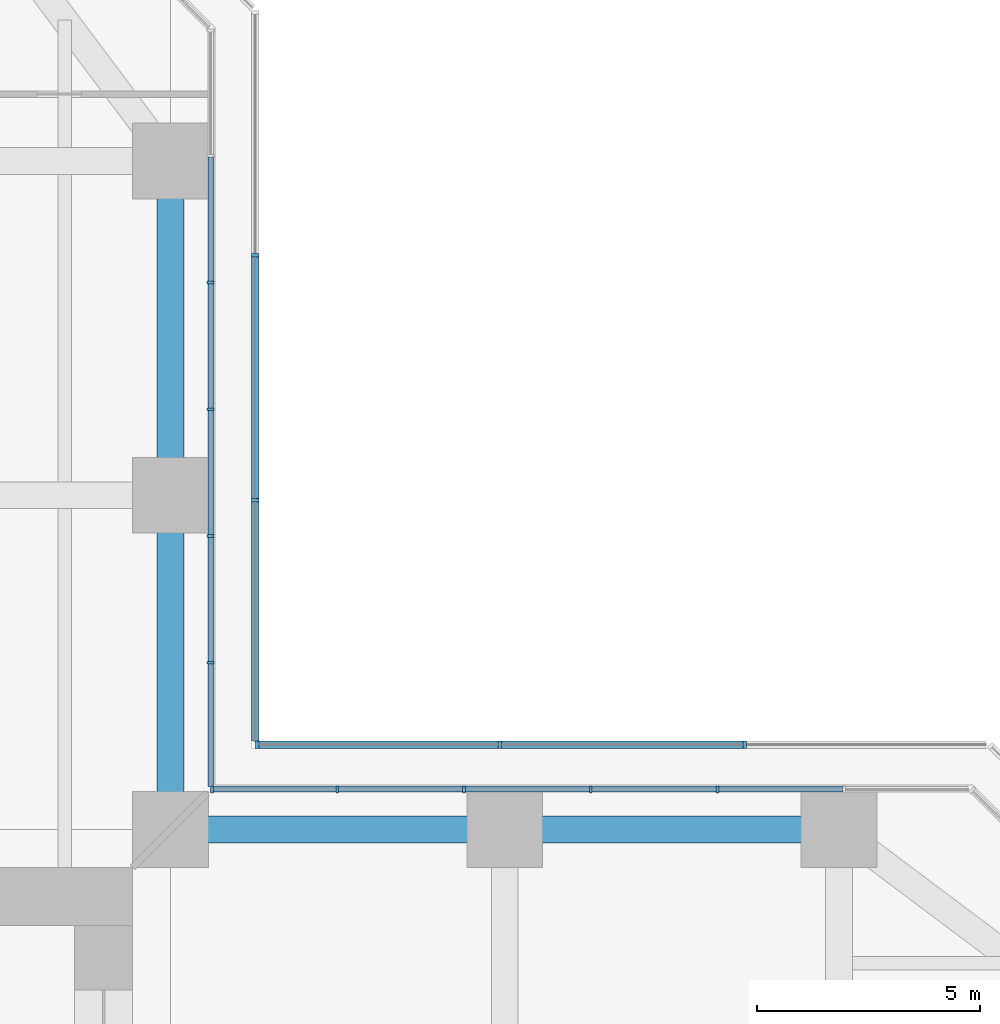
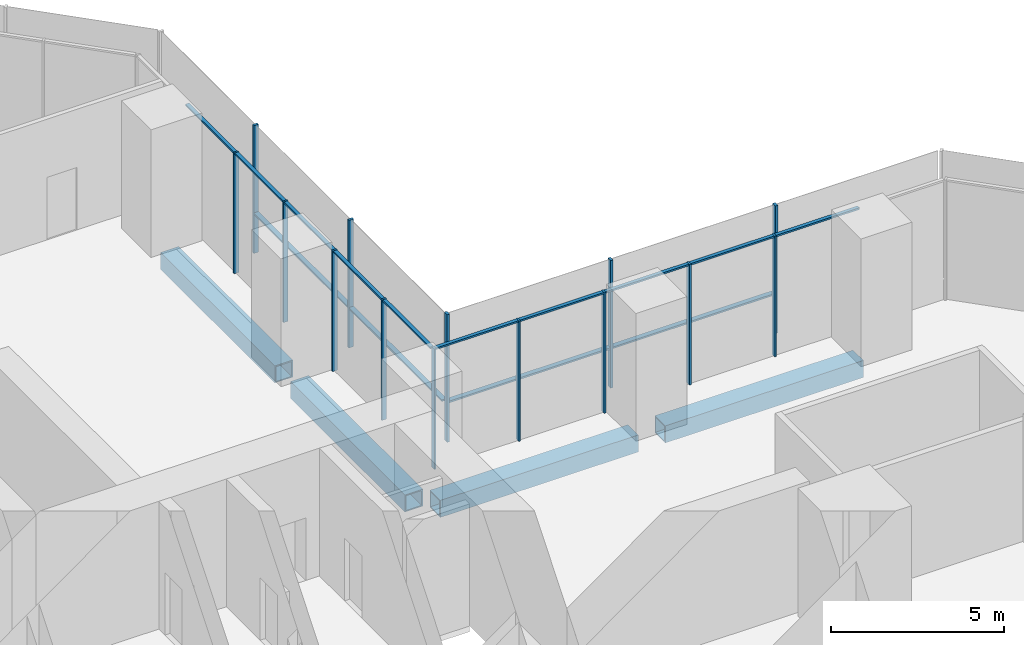
# One storey, part 10 of 21: 28 members, 4 beams, 4 elements without a shape of their own.
"""IFC4 building model written with IfcOpenShell, lengths in metres."""

from ifc_helpers import new_model, si_unit, direction, frame, origin, origin_2d, place, context, subcontext, project, spatial, rectangle, hollow_rectangle, extrude, material, material_profile, profile_set, type_object, element, aggregate, save


model = new_model("IFC4")

# Units and contexts
model_context = context("Model", 3, precision=1e-05, world=origin(), true_north=direction((0.0, 1.0)))
body_context = subcontext(model_context, "Body", "Model", "MODEL_VIEW")
ifc_project = project(units=[si_unit("LENGTHUNIT", "METRE"), si_unit("AREAUNIT", "SQUARE_METRE"), si_unit("VOLUMEUNIT", "CUBIC_METRE"), si_unit("PLANEANGLEUNIT", "RADIAN"), si_unit("MASSUNIT", "GRAM", prefix="KILO")], contexts=[model_context])

# Site, building, storey
site_placement = place(None, origin())
site = spatial("IfcSite", under=ifc_project, at=site_placement, CompositionType="ELEMENT")
building_placement = place(site_placement, origin())
building = spatial("IfcBuilding", under=site, at=building_placement, Name="Mizan Broadcast Tower", CompositionType="ELEMENT")
storey_placement = place(building_placement, frame((0.0, 0.0, 33.0)))
storey = spatial("IfcBuildingStorey", under=building, at=storey_placement, Name="L05", CompositionType="ELEMENT", Elevation=33.0)

# Beams
ifc_material_1 = material(Name="Steel S355", Category="steel")
ifc_material_profile_1 = material_profile(ifc_material_1, hollow_rectangle(XDim=0.60009765625, YDim=0.60009765625, WallThickness=0.0400390625, at=origin_2d()), Name="BOX 600x600x40")
ifc_profile_set_1 = profile_set([ifc_material_profile_1], Name="Steel S355")
beam_type = type_object("IfcBeamType", Name="EDGE BEAM BOX 600x600x40", PredefinedType="SPANDREL", material=ifc_profile_set_1)
for number, where, z_axis, x_axis, name in (
    (1, (12.449951171875, 12.0, -0.550048828125), (1.0, 0.0, 0.0), (0.0, 1.0, 0.0), "Edge beam BOX 600x600x40 L05 east arm"),
    (2, (19.949951171875, 12.0, -0.550048828125), (1.0, 0.0, 0.0), (0.0, 1.0, 0.0), "Edge beam BOX 600x600x40 L05 east arm"),
    (3, (12.0, 12.449951171875, -0.550048828125), (0.0, 1.0, 0.0), (-1.0, 0.0, 0.0), "Edge beam BOX 600x600x40 L05 north arm"),
    (4, (12.0, 19.949951171875, -0.550048828125), (0.0, 1.0, 0.0), (-1.0, 0.0, 0.0), "Edge beam BOX 600x600x40 L05 north arm"),
):
    element("IfcBeam", number, at=place(storey_placement, frame(where, z_axis=z_axis, x_axis=x_axis)), inside=storey, type_object=beam_type, Name=name, PredefinedType="SPANDREL", context=body_context, shape_type="SweptSolid", body=[
        extrude(hollow_rectangle(XDim=0.60009765625, YDim=0.60009765625, WallThickness=0.0400390625, at=origin_2d()), origin(), (0.0, 0.0, 1.0), 6.60009765625),
    ])

# Curtain wall, members
ifc_material_2 = material(Name="Aluminium framed glazing", Category="aluminium")
curtain_wall_type_1 = type_object("IfcCurtainWallType", Name="PODIUM CURTAIN WALL", PredefinedType="USERDEFINED", material=ifc_material_2)
curtain_wall_1_placement = place(storey_placement, origin())
curtain_wall_1 = element("IfcCurtainWall", 5, at=curtain_wall_1_placement, inside=storey, type_object=curtain_wall_type_1, Name="Podium curtain wall L05 E side", ObjectType="PODIUM CURTAIN WALL", PredefinedType="USERDEFINED")
ifc_material_3 = material(Name="Aluminium, pale anodised", Category="aluminium")
ifc_material_profile_2 = material_profile(ifc_material_3, rectangle(XDim=0.159912109375, YDim=0.06005859375, at=origin_2d()), Name="MULLION 160x60")
ifc_profile_set_2 = profile_set([ifc_material_profile_2], Name="Aluminium, pale anodised")
member_type_1 = type_object("IfcMemberType", Name="INNER SKIN MULLION 60x160", PredefinedType="MULLION", material=ifc_profile_set_2)
member_1_placement = place(storey_placement, frame((24.2724609375, 12.89990234375, 0.0), z_axis=(0.0, 0.0, 1.0), x_axis=(0.0, -1.0, 0.0)))
member_1 = element("IfcMember", 6, at=member_1_placement, type_object=member_type_1, Name="Podium curtain wall L05 E side mullion 3", PredefinedType="MULLION", context=body_context, shape_type="SweptSolid", body=[
    extrude(rectangle(XDim=0.159912109375, YDim=0.06005859375, at=origin_2d()), origin(), (0.0, 0.0, 1.0), 4.25),
])
member_2_placement = place(storey_placement, frame((21.42919921875, 12.89990234375, 0.0), z_axis=(0.0, 0.0, 1.0), x_axis=(0.0, -1.0, 0.0)))
member_2 = element("IfcMember", 7, at=member_2_placement, type_object=member_type_1, Name="Podium curtain wall L05 E side mullion 4", PredefinedType="MULLION", context=body_context, shape_type="SweptSolid", body=[
    extrude(rectangle(XDim=0.159912109375, YDim=0.06005859375, at=origin_2d()), origin(), (0.0, 0.0, 1.0), 4.25),
])
member_3_placement = place(storey_placement, frame((18.586181640625, 12.89990234375, 0.0), z_axis=(0.0, 0.0, 1.0), x_axis=(0.0, -1.0, 0.0)))
member_3 = element("IfcMember", 8, at=member_3_placement, type_object=member_type_1, Name="Podium curtain wall L05 E side mullion 5", PredefinedType="MULLION", context=body_context, shape_type="SweptSolid", body=[
    extrude(rectangle(XDim=0.159912109375, YDim=0.06005859375, at=origin_2d()), origin(), (0.0, 0.0, 1.0), 4.25),
])
member_4_placement = place(storey_placement, frame((15.7431640625, 12.89990234375, 0.0), z_axis=(0.0, 0.0, 1.0), x_axis=(0.0, -1.0, 0.0)))
member_4 = element("IfcMember", 9, at=member_4_placement, type_object=member_type_1, Name="Podium curtain wall L05 E side mullion 6", PredefinedType="MULLION", context=body_context, shape_type="SweptSolid", body=[
    extrude(rectangle(XDim=0.159912109375, YDim=0.06005859375, at=origin_2d()), origin(), (0.0, 0.0, 1.0), 4.25),
])
member_5_placement = place(storey_placement, frame((12.929931640625, 12.89990234375, 0.0), z_axis=(0.0, 0.0, 1.0), x_axis=(0.0, -1.0, 0.0)))
member_5 = element("IfcMember", 10, at=member_5_placement, type_object=member_type_1, Name="Podium curtain wall L05 E side mullion 7", PredefinedType="MULLION", context=body_context, shape_type="SweptSolid", body=[
    extrude(rectangle(XDim=0.159912109375, YDim=0.06005859375, at=origin_2d()), origin(), (0.0, 0.0, 1.0), 4.25),
])

curtain_wall_2_placement = place(storey_placement, origin())
curtain_wall_2 = element("IfcCurtainWall", 11, at=curtain_wall_2_placement, inside=storey, type_object=curtain_wall_type_1, Name="Podium curtain wall L05 N side", ObjectType="PODIUM CURTAIN WALL", PredefinedType="USERDEFINED")
member_6_placement = place(storey_placement, frame((12.89990234375, 15.7431640625, 0.0), z_axis=(0.0, 0.0, 1.0), x_axis=(-1.0, 0.0, 0.0)))
member_6 = element("IfcMember", 12, at=member_6_placement, type_object=member_type_1, Name="Podium curtain wall L05 N side mullion 2", PredefinedType="MULLION", context=body_context, shape_type="SweptSolid", body=[
    extrude(rectangle(XDim=0.159912109375, YDim=0.06005859375, at=origin_2d()), origin(), (0.0, 0.0, 1.0), 4.25),
])
member_7_placement = place(storey_placement, frame((12.89990234375, 18.586181640625, 0.0), z_axis=(0.0, 0.0, 1.0), x_axis=(-1.0, 0.0, 0.0)))
member_7 = element("IfcMember", 13, at=member_7_placement, type_object=member_type_1, Name="Podium curtain wall L05 N side mullion 3", PredefinedType="MULLION", context=body_context, shape_type="SweptSolid", body=[
    extrude(rectangle(XDim=0.159912109375, YDim=0.06005859375, at=origin_2d()), origin(), (0.0, 0.0, 1.0), 4.25),
])
member_8_placement = place(storey_placement, frame((12.89990234375, 21.42919921875, 0.0), z_axis=(0.0, 0.0, 1.0), x_axis=(-1.0, 0.0, 0.0)))
member_8 = element("IfcMember", 14, at=member_8_placement, type_object=member_type_1, Name="Podium curtain wall L05 N side mullion 4", PredefinedType="MULLION", context=body_context, shape_type="SweptSolid", body=[
    extrude(rectangle(XDim=0.159912109375, YDim=0.06005859375, at=origin_2d()), origin(), (0.0, 0.0, 1.0), 4.25),
])
member_9_placement = place(storey_placement, frame((12.89990234375, 24.2724609375, 0.0), z_axis=(0.0, 0.0, 1.0), x_axis=(-1.0, 0.0, 0.0)))
member_9 = element("IfcMember", 15, at=member_9_placement, type_object=member_type_1, Name="Podium curtain wall L05 N side mullion 5", PredefinedType="MULLION", context=body_context, shape_type="SweptSolid", body=[
    extrude(rectangle(XDim=0.159912109375, YDim=0.06005859375, at=origin_2d()), origin(), (0.0, 0.0, 1.0), 4.25),
])

# Member
ifc_material_4 = material(Name="Aluminium, pale anodised", Category="aluminium")
ifc_material_profile_3 = material_profile(ifc_material_4, rectangle(XDim=0.1201171875, YDim=0.06005859375, at=origin_2d()), Name="TRANSOM 120x60")
ifc_profile_set_3 = profile_set([ifc_material_profile_3], Name="Aluminium, pale anodised")
member_type_2 = type_object("IfcMemberType", Name="INNER SKIN TRANSOM 60x120", PredefinedType="USERDEFINED", material=ifc_profile_set_3)
member_10_placement = place(storey_placement, frame((27.08544921875, 12.89990234375, 4.219970703125), z_axis=(-1.0, 0.0, 0.0), x_axis=(0.0, -1.0, 0.0)))
member_10 = element("IfcMember", 16, at=member_10_placement, type_object=member_type_2, Name="Podium curtain wall L05 E side transom 2.1", ObjectType="TRANSOM", PredefinedType="USERDEFINED", context=body_context, shape_type="SweptSolid", body=[
    extrude(rectangle(XDim=0.1201171875, YDim=0.06005859375, at=origin_2d()), origin(), (0.0, 0.0, 1.0), 2.782958984375),
])

member_11_placement = place(storey_placement, frame((24.242431640625, 12.89990234375, 4.219970703125), z_axis=(-1.0, 0.0, 0.0), x_axis=(0.0, -1.0, 0.0)))
member_11 = element("IfcMember", 17, at=member_11_placement, type_object=member_type_2, Name="Podium curtain wall L05 E side transom 3.1", ObjectType="TRANSOM", PredefinedType="USERDEFINED", context=body_context, shape_type="SweptSolid", body=[
    extrude(rectangle(XDim=0.1201171875, YDim=0.06005859375, at=origin_2d()), origin(), (0.0, 0.0, 1.0), 2.783203125),
])

member_12_placement = place(storey_placement, frame((21.399169921875, 12.89990234375, 4.219970703125), z_axis=(-1.0, 0.0, 0.0), x_axis=(0.0, -1.0, 0.0)))
member_12 = element("IfcMember", 18, at=member_12_placement, type_object=member_type_2, Name="Podium curtain wall L05 E side transom 4.1", ObjectType="TRANSOM", PredefinedType="USERDEFINED", context=body_context, shape_type="SweptSolid", body=[
    extrude(rectangle(XDim=0.1201171875, YDim=0.06005859375, at=origin_2d()), origin(), (0.0, 0.0, 1.0), 2.782958984375),
])

member_13_placement = place(storey_placement, frame((18.55615234375, 12.89990234375, 4.219970703125), z_axis=(-1.0, 0.0, 0.0), x_axis=(0.0, -1.0, 0.0)))
member_13 = element("IfcMember", 19, at=member_13_placement, type_object=member_type_2, Name="Podium curtain wall L05 E side transom 5.1", ObjectType="TRANSOM", PredefinedType="USERDEFINED", context=body_context, shape_type="SweptSolid", body=[
    extrude(rectangle(XDim=0.1201171875, YDim=0.06005859375, at=origin_2d()), origin(), (0.0, 0.0, 1.0), 2.782958984375),
])

member_14_placement = place(storey_placement, frame((15.713134765625, 12.89990234375, 4.219970703125), z_axis=(-1.0, 0.0, 0.0), x_axis=(0.0, -1.0, 0.0)))
member_14 = element("IfcMember", 20, at=member_14_placement, type_object=member_type_2, Name="Podium curtain wall L05 E side transom 6.1", ObjectType="TRANSOM", PredefinedType="USERDEFINED", context=body_context, shape_type="SweptSolid", body=[
    extrude(rectangle(XDim=0.1201171875, YDim=0.06005859375, at=origin_2d()), origin(), (0.0, 0.0, 1.0), 2.753173828125),
])

aggregate(curtain_wall_1, [member_1, member_2, member_3, member_4, member_5, member_10, member_11, member_12, member_13, member_14])

member_15_placement = place(storey_placement, frame((12.89990234375, 12.9599609375, 4.219970703125), z_axis=(0.0, 1.0, 0.0), x_axis=(-1.0, 0.0, 0.0)))
member_15 = element("IfcMember", 21, at=member_15_placement, type_object=member_type_2, Name="Podium curtain wall L05 N side transom 1.1", ObjectType="TRANSOM", PredefinedType="USERDEFINED", context=body_context, shape_type="SweptSolid", body=[
    extrude(rectangle(XDim=0.1201171875, YDim=0.06005859375, at=origin_2d()), origin(), (0.0, 0.0, 1.0), 2.753173828125),
])

member_16_placement = place(storey_placement, frame((12.89990234375, 15.773193359375, 4.219970703125), z_axis=(0.0, 1.0, 0.0), x_axis=(-1.0, 0.0, 0.0)))
member_16 = element("IfcMember", 22, at=member_16_placement, type_object=member_type_2, Name="Podium curtain wall L05 N side transom 2.1", ObjectType="TRANSOM", PredefinedType="USERDEFINED", context=body_context, shape_type="SweptSolid", body=[
    extrude(rectangle(XDim=0.1201171875, YDim=0.06005859375, at=origin_2d()), origin(), (0.0, 0.0, 1.0), 2.782958984375),
])

member_17_placement = place(storey_placement, frame((12.89990234375, 18.6162109375, 4.219970703125), z_axis=(0.0, 1.0, 0.0), x_axis=(-1.0, 0.0, 0.0)))
member_17 = element("IfcMember", 23, at=member_17_placement, type_object=member_type_2, Name="Podium curtain wall L05 N side transom 3.1", ObjectType="TRANSOM", PredefinedType="USERDEFINED", context=body_context, shape_type="SweptSolid", body=[
    extrude(rectangle(XDim=0.1201171875, YDim=0.06005859375, at=origin_2d()), origin(), (0.0, 0.0, 1.0), 2.782958984375),
])

member_18_placement = place(storey_placement, frame((12.89990234375, 21.459228515625, 4.219970703125), z_axis=(0.0, 1.0, 0.0), x_axis=(-1.0, 0.0, 0.0)))
member_18 = element("IfcMember", 24, at=member_18_placement, type_object=member_type_2, Name="Podium curtain wall L05 N side transom 4.1", ObjectType="TRANSOM", PredefinedType="USERDEFINED", context=body_context, shape_type="SweptSolid", body=[
    extrude(rectangle(XDim=0.1201171875, YDim=0.06005859375, at=origin_2d()), origin(), (0.0, 0.0, 1.0), 2.783203125),
])

member_19_placement = place(storey_placement, frame((12.89990234375, 24.302490234375, 4.219970703125), z_axis=(0.0, 1.0, 0.0), x_axis=(-1.0, 0.0, 0.0)))
member_19 = element("IfcMember", 25, at=member_19_placement, type_object=member_type_2, Name="Podium curtain wall L05 N side transom 5.1", ObjectType="TRANSOM", PredefinedType="USERDEFINED", context=body_context, shape_type="SweptSolid", body=[
    extrude(rectangle(XDim=0.1201171875, YDim=0.06005859375, at=origin_2d()), origin(), (0.0, 0.0, 1.0), 2.782958984375),
])

aggregate(curtain_wall_2, [member_6, member_7, member_8, member_9, member_15, member_16, member_17, member_18, member_19])

# Curtain wall, members
ifc_material_5 = material(Name="Aluminium framed glazing", Category="aluminium")
curtain_wall_type_2 = type_object("IfcCurtainWallType", Name="OUTER SKIN", PredefinedType="USERDEFINED", material=ifc_material_5)
curtain_wall_3_placement = place(storey_placement, origin())
curtain_wall_3 = element("IfcCurtainWall", 26, at=curtain_wall_3_placement, inside=storey, type_object=curtain_wall_type_2, Name="Outer skin L05 E side", ObjectType="OUTER SKIN", PredefinedType="USERDEFINED")
ifc_material_6 = material(Name="Aluminium, pale anodised", Category="aluminium")
ifc_material_profile_4 = material_profile(ifc_material_6, rectangle(XDim=0.159912109375, YDim=0.080078125, at=origin_2d()), Name="MULLION 160x80")
ifc_profile_set_4 = profile_set([ifc_material_profile_4], Name="Aluminium, pale anodised")
member_type_3 = type_object("IfcMemberType", Name="OUTER SKIN MULLION 80x160", PredefinedType="MULLION", material=ifc_profile_set_4)
member_20_placement = place(storey_placement, frame((24.8818359375, 13.89990234375, 0.0), z_axis=(0.0, 0.0, 1.0), x_axis=(0.0, -1.0, 0.0)))
member_20 = element("IfcMember", 27, at=member_20_placement, type_object=member_type_3, Name="Outer skin L05 E side mullion 2", PredefinedType="MULLION", context=body_context, shape_type="SweptSolid", body=[
    extrude(rectangle(XDim=0.159912109375, YDim=0.080078125, at=origin_2d()), origin(), (0.0, 0.0, 1.0), 4.5),
])
member_21_placement = place(storey_placement, frame((19.390869140625, 13.89990234375, 0.0), z_axis=(0.0, 0.0, 1.0), x_axis=(0.0, -1.0, 0.0)))
member_21 = element("IfcMember", 28, at=member_21_placement, type_object=member_type_3, Name="Outer skin L05 E side mullion 3", PredefinedType="MULLION", context=body_context, shape_type="SweptSolid", body=[
    extrude(rectangle(XDim=0.159912109375, YDim=0.080078125, at=origin_2d()), origin(), (0.0, 0.0, 1.0), 4.5),
])
member_22_placement = place(storey_placement, frame((13.93994140625, 13.89990234375, 0.0), z_axis=(0.0, 0.0, 1.0), x_axis=(0.0, -1.0, 0.0)))
member_22 = element("IfcMember", 29, at=member_22_placement, type_object=member_type_3, Name="Outer skin L05 E side mullion 4", PredefinedType="MULLION", context=body_context, shape_type="SweptSolid", body=[
    extrude(rectangle(XDim=0.159912109375, YDim=0.080078125, at=origin_2d()), origin(), (0.0, 0.0, 1.0), 4.5),
])

curtain_wall_4_placement = place(storey_placement, origin())
curtain_wall_4 = element("IfcCurtainWall", 30, at=curtain_wall_4_placement, inside=storey, type_object=curtain_wall_type_2, Name="Outer skin L05 N side", ObjectType="OUTER SKIN", PredefinedType="USERDEFINED")
member_23_placement = place(storey_placement, frame((13.89990234375, 19.390869140625, 0.0), z_axis=(0.0, 0.0, 1.0), x_axis=(-1.0, 0.0, 0.0)))
member_23 = element("IfcMember", 31, at=member_23_placement, type_object=member_type_3, Name="Outer skin L05 N side mullion 2", PredefinedType="MULLION", context=body_context, shape_type="SweptSolid", body=[
    extrude(rectangle(XDim=0.159912109375, YDim=0.080078125, at=origin_2d()), origin(), (0.0, 0.0, 1.0), 4.5),
])
member_24_placement = place(storey_placement, frame((13.89990234375, 24.8818359375, 0.0), z_axis=(0.0, 0.0, 1.0), x_axis=(-1.0, 0.0, 0.0)))
member_24 = element("IfcMember", 32, at=member_24_placement, type_object=member_type_3, Name="Outer skin L05 N side mullion 3", PredefinedType="MULLION", context=body_context, shape_type="SweptSolid", body=[
    extrude(rectangle(XDim=0.159912109375, YDim=0.080078125, at=origin_2d()), origin(), (0.0, 0.0, 1.0), 4.5),
])

# Member
ifc_material_7 = material(Name="Aluminium, pale anodised", Category="aluminium")
ifc_material_profile_5 = material_profile(ifc_material_7, rectangle(XDim=0.159912109375, YDim=0.06005859375, at=origin_2d()), Name="TRANSOM 160x60")
ifc_profile_set_5 = profile_set([ifc_material_profile_5], Name="Aluminium, pale anodised")
member_type_4 = type_object("IfcMemberType", Name="OUTER SKIN TRANSOM 60x160", PredefinedType="USERDEFINED", material=ifc_profile_set_5)
member_25_placement = place(storey_placement, frame((24.841796875, 13.89990234375, 1.39990234375), z_axis=(-1.0, 0.0, 0.0), x_axis=(0.0, -1.0, 0.0)))
member_25 = element("IfcMember", 33, at=member_25_placement, type_object=member_type_4, Name="Outer skin L05 E side transom 2.1", ObjectType="TRANSOM", PredefinedType="USERDEFINED", context=body_context, shape_type="SweptSolid", body=[
    extrude(rectangle(XDim=0.159912109375, YDim=0.06005859375, at=origin_2d()), origin(), (0.0, 0.0, 1.0), 5.410888671875),
])

member_26_placement = place(storey_placement, frame((19.350830078125, 13.89990234375, 1.39990234375), z_axis=(-1.0, 0.0, 0.0), x_axis=(0.0, -1.0, 0.0)))
member_26 = element("IfcMember", 34, at=member_26_placement, type_object=member_type_4, Name="Outer skin L05 E side transom 3.1", ObjectType="TRANSOM", PredefinedType="USERDEFINED", context=body_context, shape_type="SweptSolid", body=[
    extrude(rectangle(XDim=0.159912109375, YDim=0.06005859375, at=origin_2d()), origin(), (0.0, 0.0, 1.0), 5.370849609375),
])

aggregate(curtain_wall_3, [member_20, member_21, member_22, member_25, member_26])

member_27_placement = place(storey_placement, frame((13.89990234375, 13.97998046875, 1.39990234375), z_axis=(0.0, 1.0, 0.0), x_axis=(-1.0, 0.0, 0.0)))
member_27 = element("IfcMember", 35, at=member_27_placement, type_object=member_type_4, Name="Outer skin L05 N side transom 1.1", ObjectType="TRANSOM", PredefinedType="USERDEFINED", context=body_context, shape_type="SweptSolid", body=[
    extrude(rectangle(XDim=0.159912109375, YDim=0.06005859375, at=origin_2d()), origin(), (0.0, 0.0, 1.0), 5.370849609375),
])

member_28_placement = place(storey_placement, frame((13.89990234375, 19.430908203125, 1.39990234375), z_axis=(0.0, 1.0, 0.0), x_axis=(-1.0, 0.0, 0.0)))
member_28 = element("IfcMember", 36, at=member_28_placement, type_object=member_type_4, Name="Outer skin L05 N side transom 2.1", ObjectType="TRANSOM", PredefinedType="USERDEFINED", context=body_context, shape_type="SweptSolid", body=[
    extrude(rectangle(XDim=0.159912109375, YDim=0.06005859375, at=origin_2d()), origin(), (0.0, 0.0, 1.0), 5.410888671875),
])

aggregate(curtain_wall_4, [member_23, member_24, member_27, member_28])

save(model, "model.ifc")
